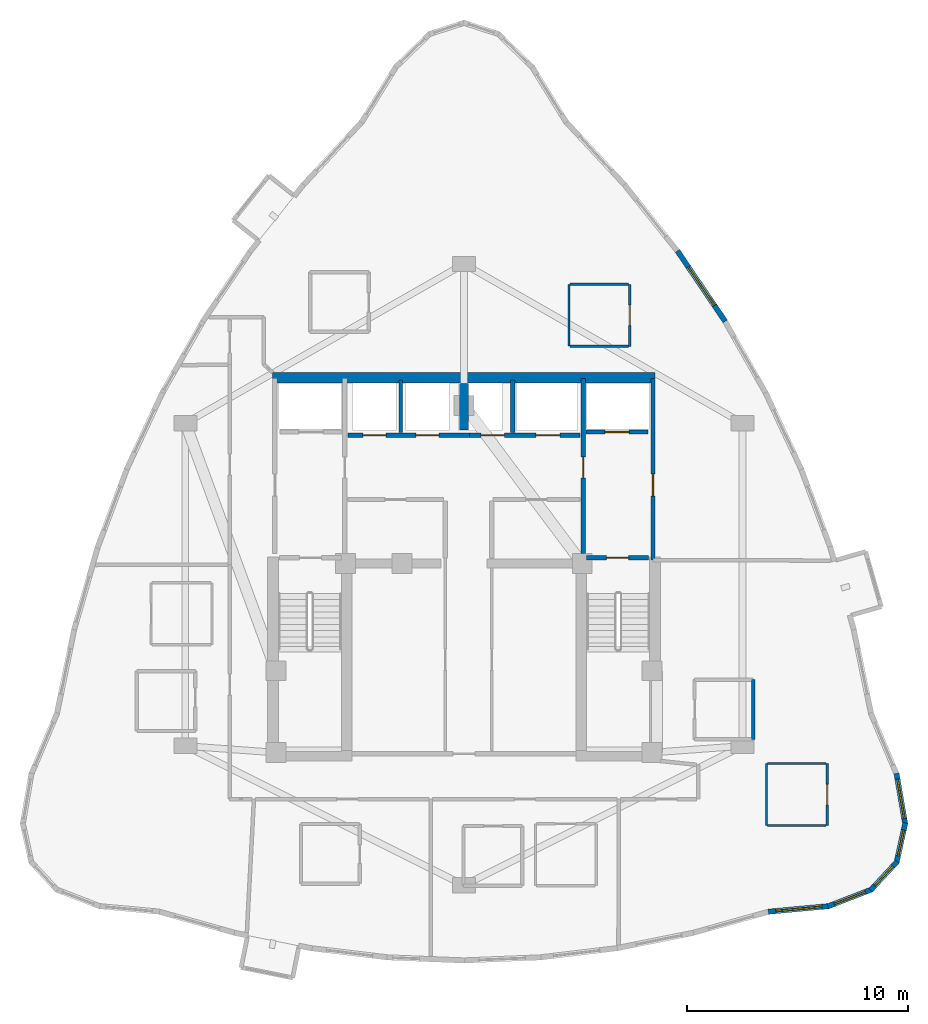
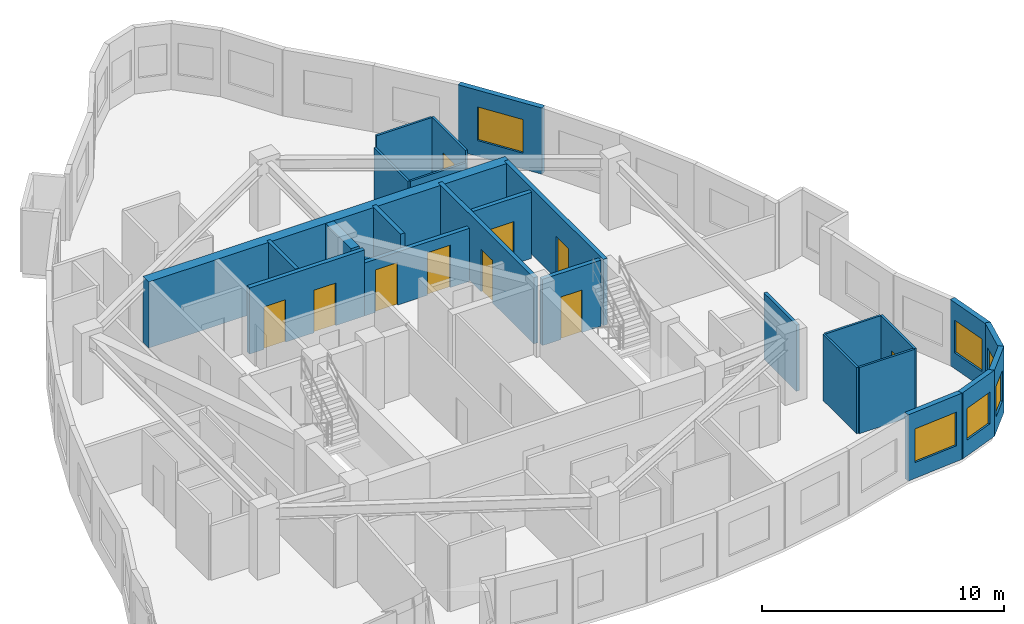
# One storey, part 7 of 10: 25 walls, 10 doors, 6 windows, 16 openings.
"""IFC4 building model written with IfcOpenShell, lengths in metres."""

from ifc_helpers import new_model, si_unit, direction, frame, frame_2d, origin, place, context, subcontext, project, spatial, rectangle, extrude, material, layer, layer_set, type_object, element, fill, save


model = new_model("IFC4")

# Units and contexts
model_context = context("Model", 3, precision=1e-05, world=origin(), true_north=direction((0.0, 1.0)))
body_context = subcontext(model_context, "Body", "Model", "MODEL_VIEW")
ifc_project = project(units=[si_unit("LENGTHUNIT", "METRE"), si_unit("AREAUNIT", "SQUARE_METRE"), si_unit("VOLUMEUNIT", "CUBIC_METRE"), si_unit("PLANEANGLEUNIT", "RADIAN"), si_unit("MASSUNIT", "GRAM", prefix="KILO")], contexts=[model_context])

# Site, building, storey
site_placement = place(None, origin())
site = spatial("IfcSite", under=ifc_project, at=site_placement, CompositionType="ELEMENT")
building_placement = place(site_placement, origin())
building = spatial("IfcBuilding", under=site, at=building_placement, Name="Miruveldt Soraemaru", CompositionType="ELEMENT")
storey_placement = place(building_placement, frame((0.0, 0.0, 230.39990234375)))
storey = spatial("IfcBuildingStorey", under=building, at=storey_placement, Name="L63", CompositionType="ELEMENT", Elevation=230.39990234375)

# Walls
ifc_material_1 = material(Name="Concrete C70/85 (70 MPa)", Category="concrete")
ifc_layer_1 = layer(ifc_material_1, 0.5, Name="Concrete C70/85 (70 MPa)", Category="concrete")
ifc_layer_set_1 = layer_set([ifc_layer_1], Name="Concrete C70/85 (70 MPa)")
wall_type_1 = type_object("IfcWallType", Name="WALL-BW-500", PredefinedType="SHEAR", material=ifc_layer_set_1)
wall_1_placement = place(storey_placement, frame((44.0, 50.10009765625, 0.0), z_axis=(0.0, 0.0, 1.0), x_axis=(0.0, 1.0, 0.0)))
element("IfcWall", 1, at=wall_1_placement, inside=storey, type_object=wall_type_1, Name="L63 Core Buttress Shear Wall BN", PredefinedType="SHEAR", context=body_context, shape_type="SweptSolid", body=[
    extrude(rectangle(XDim=2.099853515625, YDim=0.39990234375, at=frame_2d((1.0498046875, 0.0))), origin(), (0.0, 0.0, 1.0), 3.34521484375),
])
ifc_material_2 = material(Name="Concrete C60/75 (60 MPa)", Category="concrete")
ifc_layer_2 = layer(ifc_material_2, 0.47998046875, Name="Concrete C60/75 (60 MPa)", Category="concrete")
ifc_layer_set_2 = layer_set([ifc_layer_2], Name="Concrete C60/75 (60 MPa)")
wall_type_2 = type_object("IfcWallType", Name="WALL-CW-480", PredefinedType="SHEAR", material=ifc_layer_set_2)
wall_2_placement = place(storey_placement, frame((35.35009765625, 52.449951171875, 0.0), z_axis=(0.0, 0.0, 1.0), x_axis=(1.0, 0.0, 0.0)))
element("IfcWall", 2, at=wall_2_placement, inside=storey, type_object=wall_type_2, Name="L63 Central Core Shear Wall N", PredefinedType="SHEAR", context=body_context, shape_type="SweptSolid", body=[
    extrude(rectangle(XDim=17.2998046875, YDim=0.47998046875, at=frame_2d((8.64990234375, 0.0))), origin(), (0.0, 0.0, 1.0), 3.34521484375),
])

# Wall, opening, window
ifc_material_3 = material(Name="Precast concrete C45/55 (45 MPa)", Category="concrete")
ifc_layer_3 = layer(ifc_material_3, 0.239990234375, Name="Precast concrete C45/55 (45 MPa)", Category="concrete")
ifc_layer_set_3 = layer_set([ifc_layer_3], Name="Precast concrete C45/55 (45 MPa)")
wall_type_3 = type_object("IfcWallType", Name="WALL-EXT-PC240", PredefinedType="SOLIDWALL", material=ifc_layer_set_3)
wall_3_placement = place(storey_placement, frame((57.763916015625, 28.30078125, 0.0), z_axis=(0.0, 0.0, 1.0), x_axis=(0.995758748677, 0.092002795788, 0.0)))
wall_3 = element("IfcWall", 3, at=wall_3_placement, inside=storey, type_object=wall_type_3, Name="L63 Precast Concrete Facade Wall 29", PredefinedType="SOLIDWALL", context=body_context, shape_type="SweptSolid", body=[
    extrude(rectangle(XDim=2.775634765625, YDim=0.239990234375, at=frame_2d((1.3876953125, 0.0))), origin(), (0.0, 0.0, 1.0), 3.34521484375),
])
opening_1_placement = place(wall_3_placement, frame((0.337890625, 0.0, 0.800048828125)))
opening_1 = element("IfcOpeningElement", 4, at=opening_1_placement, cuts=wall_3, Name="Opening WN-1", PredefinedType="OPENING", context=body_context, shape_type="SweptSolid", body=[
    extrude(rectangle(XDim=2.10009765625, YDim=1.699951171875, at=frame_2d((1.050048828125, 0.85009765625))), frame((0.0, 0.1298828125, 0.0), z_axis=(0.0, -1.0, 0.0), x_axis=(1.0, 0.0, 0.0)), (0.0, 0.0, 1.0), 0.260009765625),
])
ifc_material_4 = material(Name="Triple low-e insulated glazing", Category="glass")
window_type_1 = type_object("IfcWindowType", Name="WIN-PUNCH-2100x1700", PartitioningType="SINGLE_PANEL", PredefinedType="WINDOW", material=ifc_material_4)
window_1_placement = place(opening_1_placement, origin())
window_1 = element("IfcWindow", 5, at=window_1_placement, inside=storey, type_object=window_type_1, Name="L63 Punched Triple-Glazed Window 29.1", OverallHeight=1.699951171875, OverallWidth=2.10009765625, PartitioningType="SINGLE_PANEL", PredefinedType="WINDOW", context=body_context, shape_type="SweptSolid", body=[
    extrude(rectangle(XDim=2.10009765625, YDim=1.699951171875, at=frame_2d((1.050048828125, 0.85009765625))), frame((0.0, 0.030029296875, 0.0), z_axis=(0.0, -1.0, 0.0), x_axis=(1.0, 0.0, 0.0)), (0.0, 0.0, 1.0), 0.06005859375),
])
fill(opening_1, window_1)

wall_4_placement = place(storey_placement, frame((60.46044921875, 28.540283203125, 0.0), z_axis=(0.0, 0.0, 1.0), x_axis=(0.932292043889, 0.361706434697, 0.0)))
wall_4 = element("IfcWall", 6, at=wall_4_placement, inside=storey, type_object=wall_type_3, Name="L63 Precast Concrete Facade Wall 30", PredefinedType="SOLIDWALL", context=body_context, shape_type="SweptSolid", body=[
    extrude(rectangle(XDim=2.13427734375, YDim=0.239990234375, at=frame_2d((1.067138671875, 0.0))), origin(), (0.0, 0.0, 1.0), 3.34521484375),
])
opening_2_placement = place(wall_4_placement, frame((0.31689453125, 0.0, 0.800048828125)))
opening_2 = element("IfcOpeningElement", 7, at=opening_2_placement, cuts=wall_4, Name="Opening WN-3", PredefinedType="OPENING", context=body_context, shape_type="SweptSolid", body=[
    extrude(rectangle(XDim=1.5, YDim=1.60009765625, at=frame_2d((0.75, 0.800048828125))), frame((0.0, 0.1298828125, 0.0), z_axis=(0.0, -1.0, 0.0), x_axis=(1.0, 0.0, 0.0)), (0.0, 0.0, 1.0), 0.260009765625),
])
window_type_2 = type_object("IfcWindowType", Name="WIN-PUNCH-1500x1600", PartitioningType="SINGLE_PANEL", PredefinedType="WINDOW", material=ifc_material_4)
window_2_placement = place(opening_2_placement, origin())
window_2 = element("IfcWindow", 8, at=window_2_placement, inside=storey, type_object=window_type_2, Name="L63 Punched Triple-Glazed Window 30.1", OverallHeight=1.60009765625, OverallWidth=1.5, PartitioningType="SINGLE_PANEL", PredefinedType="WINDOW", context=body_context, shape_type="SweptSolid", body=[
    extrude(rectangle(XDim=1.5, YDim=1.60009765625, at=frame_2d((0.75, 0.800048828125))), frame((0.0, 0.030029296875, 0.0), z_axis=(0.0, -1.0, 0.0), x_axis=(1.0, 0.0, 0.0)), (0.0, 0.0, 1.0), 0.06005859375),
])
fill(opening_2, window_2)

wall_5_placement = place(storey_placement, frame((62.393798828125, 29.273681640625, 0.0), z_axis=(0.0, 0.0, 1.0), x_axis=(0.680090776323, 0.733127912414, 0.0)))
wall_5 = element("IfcWall", 9, at=wall_5_placement, inside=storey, type_object=wall_type_3, Name="L63 Precast Concrete Facade Wall 31", PredefinedType="SOLIDWALL", context=body_context, shape_type="SweptSolid", body=[
    extrude(rectangle(XDim=1.767578125, YDim=0.239990234375, at=frame_2d((0.8837890625, 0.0))), origin(), (0.0, 0.0, 1.0), 3.34521484375),
])
opening_3_placement = place(wall_5_placement, frame((0.283935546875, 0.0, 0.780029296875)))
opening_3 = element("IfcOpeningElement", 10, at=opening_3_placement, cuts=wall_5, Name="Opening WN-4", PredefinedType="OPENING", context=body_context, shape_type="SweptSolid", body=[
    extrude(rectangle(XDim=1.199951171875, YDim=1.550048828125, at=frame_2d((0.60009765625, 0.77490234375))), frame((0.0, 0.1298828125, 0.0), z_axis=(0.0, -1.0, 0.0), x_axis=(1.0, 0.0, 0.0)), (0.0, 0.0, 1.0), 0.260009765625),
])
window_type_3 = type_object("IfcWindowType", Name="WIN-PUNCH-1200x1550", PartitioningType="SINGLE_PANEL", PredefinedType="WINDOW", material=ifc_material_4)
window_3_placement = place(opening_3_placement, origin())
window_3 = element("IfcWindow", 11, at=window_3_placement, inside=storey, type_object=window_type_3, Name="L63 Punched Triple-Glazed Window 31.1", OverallHeight=1.550048828125, OverallWidth=1.199951171875, PartitioningType="SINGLE_PANEL", PredefinedType="WINDOW", context=body_context, shape_type="SweptSolid", body=[
    extrude(rectangle(XDim=1.199951171875, YDim=1.550048828125, at=frame_2d((0.60009765625, 0.77490234375))), frame((0.0, 0.030029296875, 0.0), z_axis=(0.0, -1.0, 0.0), x_axis=(1.0, 0.0, 0.0)), (0.0, 0.0, 1.0), 0.06005859375),
])
fill(opening_3, window_3)

wall_6_placement = place(storey_placement, frame((63.564697265625, 30.509765625, 0.0), z_axis=(0.0, 0.0, 1.0), x_axis=(0.215675540506, 0.97646508449, 0.0)))
wall_6 = element("IfcWall", 12, at=wall_6_placement, inside=storey, type_object=wall_type_3, Name="L63 Precast Concrete Facade Wall 32", PredefinedType="SOLIDWALL", context=body_context, shape_type="SweptSolid", body=[
    extrude(rectangle(XDim=1.854248046875, YDim=0.239990234375, at=frame_2d((0.92724609375, 0.0))), origin(), (0.0, 0.0, 1.0), 3.34521484375),
])
opening_4_placement = place(wall_6_placement, frame((0.326904296875, 0.0, 0.780029296875)))
opening_4 = element("IfcOpeningElement", 13, at=opening_4_placement, cuts=wall_6, Name="Opening WN-4", PredefinedType="OPENING", context=body_context, shape_type="SweptSolid", body=[
    extrude(rectangle(XDim=1.199951171875, YDim=1.550048828125, at=frame_2d((0.60009765625, 0.77490234375))), frame((0.0, 0.1298828125, 0.0), z_axis=(0.0, -1.0, 0.0), x_axis=(1.0, 0.0, 0.0)), (0.0, 0.0, 1.0), 0.260009765625),
])
window_4_placement = place(opening_4_placement, origin())
window_4 = element("IfcWindow", 14, at=window_4_placement, inside=storey, type_object=window_type_3, Name="L63 Punched Triple-Glazed Window 32.1", OverallHeight=1.550048828125, OverallWidth=1.199951171875, PartitioningType="SINGLE_PANEL", PredefinedType="WINDOW", context=body_context, shape_type="SweptSolid", body=[
    extrude(rectangle(XDim=1.199951171875, YDim=1.550048828125, at=frame_2d((0.60009765625, 0.77490234375))), frame((0.0, 0.030029296875, 0.0), z_axis=(0.0, -1.0, 0.0), x_axis=(1.0, 0.0, 0.0)), (0.0, 0.0, 1.0), 0.06005859375),
])
fill(opening_4, window_4)

wall_7_placement = place(storey_placement, frame((63.962890625, 32.251708984375, 0.0), z_axis=(0.0, 0.0, 1.0), x_axis=(-0.16922990098, 0.985576603118, 0.0)))
wall_7 = element("IfcWall", 15, at=wall_7_placement, inside=storey, type_object=wall_type_3, Name="L63 Precast Concrete Facade Wall 33", PredefinedType="SOLIDWALL", context=body_context, shape_type="SweptSolid", body=[
    extrude(rectangle(XDim=2.3427734375, YDim=0.239990234375, at=frame_2d((1.17138671875, 0.0))), origin(), (0.0, 0.0, 1.0), 3.34521484375),
])
opening_5_placement = place(wall_7_placement, frame((0.27099609375, 0.0, 0.800048828125)))
opening_5 = element("IfcOpeningElement", 16, at=opening_5_placement, cuts=wall_7, Name="Opening WN-2", PredefinedType="OPENING", context=body_context, shape_type="SweptSolid", body=[
    extrude(rectangle(XDim=1.800048828125, YDim=1.64990234375, at=frame_2d((0.89990234375, 0.824951171875))), frame((0.0, 0.1298828125, 0.0), z_axis=(0.0, -1.0, 0.0), x_axis=(1.0, 0.0, 0.0)), (0.0, 0.0, 1.0), 0.260009765625),
])
window_type_4 = type_object("IfcWindowType", Name="WIN-PUNCH-1800x1650", PartitioningType="SINGLE_PANEL", PredefinedType="WINDOW", material=ifc_material_4)
window_5_placement = place(opening_5_placement, origin())
window_5 = element("IfcWindow", 17, at=window_5_placement, inside=storey, type_object=window_type_4, Name="L63 Punched Triple-Glazed Window 33.1", OverallHeight=1.64990234375, OverallWidth=1.800048828125, PartitioningType="SINGLE_PANEL", PredefinedType="WINDOW", context=body_context, shape_type="SweptSolid", body=[
    extrude(rectangle(XDim=1.800048828125, YDim=1.64990234375, at=frame_2d((0.89990234375, 0.824951171875))), frame((0.0, 0.030029296875, 0.0), z_axis=(0.0, -1.0, 0.0), x_axis=(1.0, 0.0, 0.0)), (0.0, 0.0, 1.0), 0.06005859375),
])
fill(opening_5, window_5)

wall_8_placement = place(storey_placement, frame((55.820556640625, 55.0, 0.0), z_axis=(0.0, 0.0, 1.0), x_axis=(-0.560856532865, 0.827913008439, 0.0)))
wall_8 = element("IfcWall", 18, at=wall_8_placement, inside=storey, type_object=wall_type_3, Name="L63 Precast Concrete Facade Wall 40", PredefinedType="SOLIDWALL", context=body_context, shape_type="SweptSolid", body=[
    extrude(rectangle(XDim=3.861572265625, YDim=0.239990234375, at=frame_2d((1.9306640625, 0.0))), origin(), (0.0, 0.0, 1.0), 3.34521484375),
])
opening_6_placement = place(wall_8_placement, frame((0.881103515625, 0.0, 0.800048828125)))
opening_6 = element("IfcOpeningElement", 19, at=opening_6_placement, cuts=wall_8, Name="Opening WN-1", PredefinedType="OPENING", context=body_context, shape_type="SweptSolid", body=[
    extrude(rectangle(XDim=2.10009765625, YDim=1.699951171875, at=frame_2d((1.050048828125, 0.85009765625))), frame((0.0, 0.1298828125, 0.0), z_axis=(0.0, -1.0, 0.0), x_axis=(1.0, 0.0, 0.0)), (0.0, 0.0, 1.0), 0.260009765625),
])
window_6_placement = place(opening_6_placement, origin())
window_6 = element("IfcWindow", 20, at=window_6_placement, inside=storey, type_object=window_type_1, Name="L63 Punched Triple-Glazed Window 40.1", OverallHeight=1.699951171875, OverallWidth=2.10009765625, PartitioningType="SINGLE_PANEL", PredefinedType="WINDOW", context=body_context, shape_type="SweptSolid", body=[
    extrude(rectangle(XDim=2.10009765625, YDim=1.699951171875, at=frame_2d((1.050048828125, 0.85009765625))), frame((0.0, 0.030029296875, 0.0), z_axis=(0.0, -1.0, 0.0), x_axis=(1.0, 0.0, 0.0)), (0.0, 0.0, 1.0), 0.06005859375),
])
fill(opening_6, window_6)

# Wall, opening, door
ifc_material_5 = material(Name="Gypsum plasterboard lining", Category="gypsum")
ifc_layer_4 = layer(ifc_material_5, 0.10009765625, Name="Gypsum plasterboard lining", Category="gypsum")
ifc_layer_set_4 = layer_set([ifc_layer_4], Name="Gypsum plasterboard lining")
wall_type_4 = type_object("IfcWallType", Name="WALL-INT-P100", PredefinedType="PARTITIONING", material=ifc_layer_set_4)
wall_9_placement = place(storey_placement, frame((51.49609375, 53.8798828125, 0.0), z_axis=(0.0, 0.0, 1.0), x_axis=(0.0, 1.0, 0.0)))
wall_9 = element("IfcWall", 21, at=wall_9_placement, inside=storey, type_object=wall_type_4, Name="L63 Partition Wall 17", PredefinedType="PARTITIONING", context=body_context, shape_type="SweptSolid", body=[
    extrude(rectangle(XDim=2.800048828125, YDim=0.10009765625, at=frame_2d((1.39990234375, 0.0))), origin(), (0.0, 0.0, 1.0), 3.34521484375),
])
opening_7_placement = place(wall_9_placement, frame((0.93994140625, 0.0, 0.0)))
opening_7 = element("IfcOpeningElement", 22, at=opening_7_placement, cuts=wall_9, Name="Opening D3A", PredefinedType="OPENING", context=body_context, shape_type="SweptSolid", body=[
    extrude(rectangle(XDim=0.919921875, YDim=2.10009765625, at=frame_2d((0.4599609375, 1.050048828125))), frame((0.0, 0.06005859375, 0.0), z_axis=(0.0, -1.0, 0.0), x_axis=(1.0, 0.0, 0.0)), (0.0, 0.0, 1.0), 0.1201171875),
])
ifc_material_6 = material(Name="Anodised aluminium EN AW-6063 T6", Category="aluminium")
door_type_1 = type_object("IfcDoorType", Name="DOOR-INT-920", OperationType="NOTDEFINED", PredefinedType="DOOR", material=ifc_material_6)
door_1_placement = place(opening_7_placement, origin())
door_1 = element("IfcDoor", 23, at=door_1_placement, inside=storey, type_object=door_type_1, Name="L63 Unit CL01 KIT Door", OperationType="SINGLE_SWING_LEFT", OverallHeight=2.10009765625, OverallWidth=0.919921875, PredefinedType="DOOR", context=body_context, shape_type="SweptSolid", body=[
    extrude(rectangle(XDim=0.919921875, YDim=2.10009765625, at=frame_2d((0.4599609375, 1.050048828125))), frame((0.0, 0.02490234375, 0.0), z_axis=(0.0, -1.0, 0.0), x_axis=(1.0, 0.0, 0.0)), (0.0, 0.0, 1.0), 0.050048828125),
])
fill(opening_7, door_1)

wall_10_placement = place(storey_placement, frame((60.429931640625, 32.200927734375, 0.0), z_axis=(0.0, 0.0, 1.0), x_axis=(0.0, 1.0, 0.0)))
wall_10 = element("IfcWall", 24, at=wall_10_placement, inside=storey, type_object=wall_type_4, Name="L63 Partition Wall 51", PredefinedType="PARTITIONING", context=body_context, shape_type="SweptSolid", body=[
    extrude(rectangle(XDim=2.800048828125, YDim=0.10009765625, at=frame_2d((1.39990234375, 0.0))), origin(), (0.0, 0.0, 1.0), 3.34521484375),
])
opening_8_placement = place(wall_10_placement, frame((0.93994140625, 0.0, 0.0)))
opening_8 = element("IfcOpeningElement", 25, at=opening_8_placement, cuts=wall_10, Name="Opening D3A", PredefinedType="OPENING", context=body_context, shape_type="SweptSolid", body=[
    extrude(rectangle(XDim=0.919921875, YDim=2.10009765625, at=frame_2d((0.4599609375, 1.050048828125))), frame((0.0, 0.06005859375, 0.0), z_axis=(0.0, -1.0, 0.0), x_axis=(1.0, 0.0, 0.0)), (0.0, 0.0, 1.0), 0.1201171875),
])
door_2_placement = place(opening_8_placement, origin())
door_2 = element("IfcDoor", 26, at=door_2_placement, inside=storey, type_object=door_type_1, Name="L63 Unit CL07 KIT Door", OperationType="SINGLE_SWING_LEFT", OverallHeight=2.10009765625, OverallWidth=0.919921875, PredefinedType="DOOR", context=body_context, shape_type="SweptSolid", body=[
    extrude(rectangle(XDim=0.919921875, YDim=2.10009765625, at=frame_2d((0.4599609375, 1.050048828125))), frame((0.0, 0.02490234375, 0.0), z_axis=(0.0, -1.0, 0.0), x_axis=(1.0, 0.0, 0.0)), (0.0, 0.0, 1.0), 0.050048828125),
])
fill(opening_8, door_2)

# Walls
wall_11_placement = place(storey_placement, frame((48.74609375, 56.679931640625, 0.0), z_axis=(0.0, 0.0, 1.0), x_axis=(0.0, -1.0, 0.0)))
element("IfcWall", 27, at=wall_11_placement, inside=storey, type_object=wall_type_4, Name="L63 Partition Wall 19", PredefinedType="PARTITIONING", context=body_context, shape_type="SweptSolid", body=[
    extrude(rectangle(XDim=2.800048828125, YDim=0.10009765625, at=frame_2d((1.39990234375, 0.0))), origin(), (0.0, 0.0, 1.0), 2.7451171875),
])
wall_12_placement = place(storey_placement, frame((57.679931640625, 35.0009765625, 0.0), z_axis=(0.0, 0.0, 1.0), x_axis=(0.0, -1.0, 0.0)))
element("IfcWall", 28, at=wall_12_placement, inside=storey, type_object=wall_type_4, Name="L63 Partition Wall 53", PredefinedType="PARTITIONING", context=body_context, shape_type="SweptSolid", body=[
    extrude(rectangle(XDim=2.800048828125, YDim=0.10009765625, at=frame_2d((1.39990234375, 0.0))), origin(), (0.0, 0.0, 1.0), 3.34521484375),
])
for number, where, z_axis, x_axis, name in (
    (29, (60.3798828125, 35.0009765625, 0.0), (0.0, 0.0, 1.0), (-1.0, 0.0, 0.0), "L63 Partition Wall 52"),
    (30, (57.72998046875, 32.200927734375, 0.0), (0.0, 0.0, 1.0), (1.0, 0.0, 0.0), "L63 Partition Wall 54"),
):
    element("IfcWall", number, at=place(storey_placement, frame(where, z_axis=z_axis, x_axis=x_axis)), inside=storey, type_object=wall_type_4, Name=name, PredefinedType="PARTITIONING", context=body_context, shape_type="SweptSolid", body=[
        extrude(rectangle(XDim=2.64990234375, YDim=0.10009765625, at=frame_2d((1.324951171875, 0.0))), origin(), (0.0, 0.0, 1.0), 3.34521484375),
    ])
wall_13_placement = place(storey_placement, frame((51.446044921875, 56.679931640625, 0.0), z_axis=(0.0, 0.0, 1.0), x_axis=(-1.0, 0.0, 0.0)))
element("IfcWall", 31, at=wall_13_placement, inside=storey, type_object=wall_type_4, Name="L63 Partition Wall 18", PredefinedType="PARTITIONING", context=body_context, shape_type="SweptSolid", body=[
    extrude(rectangle(XDim=2.650146484375, YDim=0.10009765625, at=frame_2d((1.3251953125, 0.0))), origin(), (0.0, 0.0, 1.0), 3.34521484375),
])
wall_14_placement = place(storey_placement, frame((48.7958984375, 53.8798828125, 0.0), z_axis=(0.0, 0.0, 1.0), x_axis=(1.0, 0.0, 0.0)))
element("IfcWall", 32, at=wall_14_placement, inside=storey, type_object=wall_type_4, Name="L63 Partition Wall 20", PredefinedType="PARTITIONING", context=body_context, shape_type="SweptSolid", body=[
    extrude(rectangle(XDim=2.650146484375, YDim=0.10009765625, at=frame_2d((1.3251953125, 0.0))), origin(), (0.0, 0.0, 1.0), 2.7451171875),
])
ifc_layer_5 = layer(ifc_material_5, 0.14990234375, Name="Gypsum plasterboard lining", Category="gypsum")
ifc_layer_set_5 = layer_set([ifc_layer_5], Name="Gypsum plasterboard lining")
wall_type_5 = type_object("IfcWallType", Name="WALL-INT-PLUMB", PredefinedType="PLUMBINGWALL", material=ifc_layer_set_5)
wall_15_placement = place(storey_placement, frame((57.080078125, 36.10107421875, 0.0), z_axis=(0.0, 0.0, 1.0), x_axis=(0.0, 1.0, 0.0)))
element("IfcWall", 33, at=wall_15_placement, inside=storey, type_object=wall_type_5, Name="L63 Partition Wall 47", PredefinedType="PLUMBINGWALL", context=body_context, shape_type="SweptSolid", body=[
    extrude(rectangle(XDim=2.699951171875, YDim=0.14990234375, at=frame_2d((1.35009765625, 0.0))), origin(), (0.0, 0.0, 1.0), 3.34521484375),
])
ifc_material_7 = material(Name="Concrete C40/50 (40 MPa)", Category="concrete")
ifc_layer_6 = layer(ifc_material_7, 0.159912109375, Name="Concrete C40/50 (40 MPa)", Category="concrete")
ifc_layer_set_6 = layer_set([ifc_layer_6], Name="Concrete C40/50 (40 MPa)")
wall_type_6 = type_object("IfcWallType", Name="WALL-INT-RC160", PredefinedType="SOLIDWALL", material=ifc_layer_set_6)
wall_16_placement = place(storey_placement, frame((41.14990234375, 49.97998046875, 0.0), z_axis=(0.0, 0.0, 1.0), x_axis=(0.0, 1.0, 0.0)))
element("IfcWall", 34, at=wall_16_placement, inside=storey, type_object=wall_type_6, Name="L63 Core Compartment Wall PLH-DIV1", PredefinedType="SOLIDWALL", context=body_context, shape_type="SweptSolid", body=[
    extrude(rectangle(XDim=2.3701171875, YDim=0.159912109375, at=frame_2d((1.18505859375, 0.0))), origin(), (0.0, 0.0, 1.0), 3.34521484375),
])

# Wall, opening, door
ifc_layer_7 = layer(ifc_material_7, 0.199951171875, Name="Concrete C40/50 (40 MPa)", Category="concrete")
ifc_layer_set_7 = layer_set([ifc_layer_7], Name="Concrete C40/50 (40 MPa)")
wall_type_7 = type_object("IfcWallType", Name="WALL-INT-RC200", PredefinedType="SOLIDWALL", material=ifc_layer_set_7)
wall_17_placement = place(storey_placement, frame((52.550048828125, 44.205322265625, 0.0), z_axis=(0.0, 0.0, 1.0), x_axis=(0.0, 1.0, 0.0)))
wall_17 = element("IfcWall", 35, at=wall_17_placement, inside=storey, type_object=wall_type_7, Name="L63 Core Compartment Wall FFE-OUT", PredefinedType="SOLIDWALL", context=body_context, shape_type="SweptSolid", body=[
    extrude(rectangle(XDim=8.214599609375, YDim=0.199951171875, at=frame_2d((4.107421875, 0.0))), origin(), (0.0, 0.0, 1.0), 3.34521484375),
])
opening_9_placement = place(wall_17_placement, frame((2.89501953125, 0.0, 0.0)))
opening_9 = element("IfcOpeningElement", 36, at=opening_9_placement, cuts=wall_17, Name="Opening FD1", PredefinedType="OPENING", context=body_context, shape_type="SweptSolid", body=[
    extrude(rectangle(XDim=1.0, YDim=2.14990234375, at=frame_2d((0.5, 1.074951171875))), frame((0.0, 0.10986328125, 0.0), z_axis=(0.0, -1.0, 0.0), x_axis=(1.0, 0.0, 0.0)), (0.0, 0.0, 1.0), 0.219970703125),
])
door_type_2 = type_object("IfcDoorType", Name="DOOR-FD1-1000", OperationType="NOTDEFINED", PredefinedType="DOOR", material=ifc_material_6)
door_3_placement = place(opening_9_placement, frame((1.0, 0.0, 0.0), z_axis=(0.0, 0.0, 1.0), x_axis=(-1.0, 0.0, 0.0)))
door_3 = element("IfcDoor", 37, at=door_3_placement, inside=storey, type_object=door_type_2, Name="L63 East Firefighting Lobby Exit Door", OperationType="SINGLE_SWING_RIGHT", OverallHeight=2.14990234375, OverallWidth=1.0, PredefinedType="DOOR", context=body_context, shape_type="SweptSolid", body=[
    extrude(rectangle(XDim=1.0, YDim=2.14990234375, at=frame_2d((0.5, 1.074951171875))), frame((0.0, 0.02490234375, 0.0), z_axis=(0.0, -1.0, 0.0), x_axis=(1.0, 0.0, 0.0)), (0.0, 0.0, 1.0), 0.050048828125),
])
fill(opening_9, door_3)

wall_18_placement = place(storey_placement, frame((49.39990234375, 44.5, 0.0), z_axis=(0.0, 0.0, 1.0), x_axis=(0.0, 1.0, 0.0)))
wall_18 = element("IfcWall", 38, at=wall_18_placement, inside=storey, type_object=wall_type_7, Name="L63 Core Compartment Wall FFE-IN", PredefinedType="SOLIDWALL", context=body_context, shape_type="SweptSolid", body=[
    extrude(rectangle(XDim=7.919921875, YDim=0.199951171875, at=frame_2d((3.9599609375, 0.0))), origin(), (0.0, 0.0, 1.0), 3.34521484375),
])
opening_10_placement = place(wall_18_placement, frame((3.425048828125, 0.0, 0.0)))
opening_10 = element("IfcOpeningElement", 39, at=opening_10_placement, cuts=wall_18, Name="Opening FD2", PredefinedType="OPENING", context=body_context, shape_type="SweptSolid", body=[
    extrude(rectangle(XDim=0.949951171875, YDim=2.14990234375, at=frame_2d((0.47509765625, 1.074951171875))), frame((0.0, 0.10986328125, 0.0), z_axis=(0.0, -1.0, 0.0), x_axis=(1.0, 0.0, 0.0)), (0.0, 0.0, 1.0), 0.219970703125),
])
door_type_3 = type_object("IfcDoorType", Name="DOOR-FD2-950", OperationType="NOTDEFINED", PredefinedType="DOOR", material=ifc_material_6)
door_4_placement = place(opening_10_placement, origin())
door_4 = element("IfcDoor", 40, at=door_4_placement, inside=storey, type_object=door_type_3, Name="L63 Lift Lobby to East Fire Lobby Door", OperationType="SINGLE_SWING_LEFT", OverallHeight=2.14990234375, OverallWidth=0.949951171875, PredefinedType="DOOR", context=body_context, shape_type="SweptSolid", body=[
    extrude(rectangle(XDim=0.949951171875, YDim=2.14990234375, at=frame_2d((0.47509765625, 1.074951171875))), frame((0.0, 0.02490234375, 0.0), z_axis=(0.0, -1.0, 0.0), x_axis=(1.0, 0.0, 0.0)), (0.0, 0.0, 1.0), 0.050048828125),
])
fill(opening_10, door_4)

# Wall, openings, doors
wall_19_placement = place(storey_placement, frame((38.75, 49.85009765625, 0.0), z_axis=(0.0, 0.0, 1.0), x_axis=(1.0, 0.0, 0.0)))
wall_19 = element("IfcWall", 41, at=wall_19_placement, inside=storey, type_object=wall_type_7, Name="L63 Core Compartment Wall ROWA-SW", PredefinedType="SOLIDWALL", context=body_context, shape_type="SweptSolid", body=[
    extrude(rectangle(XDim=5.5, YDim=0.199951171875, at=frame_2d((2.75, 0.0))), origin(), (0.0, 0.0, 1.0), 3.34521484375),
])
opening_11_placement = place(wall_19_placement, frame((0.675048828125, 0.0, 0.0)))
opening_11 = element("IfcOpeningElement", 42, at=opening_11_placement, cuts=wall_19, Name="Opening LD1", PredefinedType="OPENING", context=body_context, shape_type="SweptSolid", body=[
    extrude(rectangle(XDim=1.050048828125, YDim=2.14990234375, at=frame_2d((0.52490234375, 1.074951171875))), frame((0.0, 0.10986328125, 0.0), z_axis=(0.0, -1.0, 0.0), x_axis=(1.0, 0.0, 0.0)), (0.0, 0.0, 1.0), 0.219970703125),
])
opening_12_placement = place(wall_19_placement, frame((3.074951171875, 0.0, 0.0)))
opening_12 = element("IfcOpeningElement", 43, at=opening_12_placement, cuts=wall_19, Name="Opening LD1", PredefinedType="OPENING", context=body_context, shape_type="SweptSolid", body=[
    extrude(rectangle(XDim=1.050048828125, YDim=2.14990234375, at=frame_2d((0.52490234375, 1.074951171875))), frame((0.0, 0.10986328125, 0.0), z_axis=(0.0, -1.0, 0.0), x_axis=(1.0, 0.0, 0.0)), (0.0, 0.0, 1.0), 0.219970703125),
])
door_type_4 = type_object("IfcDoorType", Name="DOOR-LD1-1050", OperationType="SLIDING_TO_LEFT", PredefinedType="DOOR", material=ifc_material_6)
door_5_placement = place(opening_11_placement, origin())
door_5 = element("IfcDoor", 44, at=door_5_placement, inside=storey, type_object=door_type_4, Name="L63 PL-H1 Landing Door", OperationType="SLIDING_TO_LEFT", OverallHeight=2.14990234375, OverallWidth=1.050048828125, PredefinedType="DOOR", context=body_context, shape_type="SweptSolid", body=[
    extrude(rectangle(XDim=1.050048828125, YDim=2.14990234375, at=frame_2d((0.52490234375, 1.074951171875))), frame((0.0, 0.02490234375, 0.0), z_axis=(0.0, -1.0, 0.0), x_axis=(1.0, 0.0, 0.0)), (0.0, 0.0, 1.0), 0.050048828125),
])
fill(opening_11, door_5)
door_6_placement = place(opening_12_placement, origin())
door_6 = element("IfcDoor", 45, at=door_6_placement, inside=storey, type_object=door_type_4, Name="L63 PL-H2 Landing Door", OperationType="SLIDING_TO_LEFT", OverallHeight=2.14990234375, OverallWidth=1.050048828125, PredefinedType="DOOR", context=body_context, shape_type="SweptSolid", body=[
    extrude(rectangle(XDim=1.050048828125, YDim=2.14990234375, at=frame_2d((0.52490234375, 1.074951171875))), frame((0.0, 0.02490234375, 0.0), z_axis=(0.0, -1.0, 0.0), x_axis=(1.0, 0.0, 0.0)), (0.0, 0.0, 1.0), 0.050048828125),
])
fill(opening_12, door_6)

wall_20_placement = place(storey_placement, frame((44.25, 49.85009765625, 0.0), z_axis=(0.0, 0.0, 1.0), x_axis=(1.0, 0.0, 0.0)))
wall_20 = element("IfcWall", 46, at=wall_20_placement, inside=storey, type_object=wall_type_7, Name="L63 Core Compartment Wall ROWA-SE", PredefinedType="SOLIDWALL", context=body_context, shape_type="SweptSolid", body=[
    extrude(rectangle(XDim=5.0, YDim=0.199951171875, at=frame_2d((2.5, 0.0))), origin(), (0.0, 0.0, 1.0), 2.68310546875),
])
opening_13_placement = place(wall_20_placement, frame((0.52490234375, 0.0, 0.0)))
opening_13 = element("IfcOpeningElement", 47, at=opening_13_placement, cuts=wall_20, Name="Opening LD1", PredefinedType="OPENING", context=body_context, shape_type="SweptSolid", body=[
    extrude(rectangle(XDim=1.050048828125, YDim=2.14990234375, at=frame_2d((0.52490234375, 1.074951171875))), frame((0.0, 0.10986328125, 0.0), z_axis=(0.0, -1.0, 0.0), x_axis=(1.0, 0.0, 0.0)), (0.0, 0.0, 1.0), 0.219970703125),
])
opening_14_placement = place(wall_20_placement, frame((3.0, 0.0, 0.0)))
opening_14 = element("IfcOpeningElement", 48, at=opening_14_placement, cuts=wall_20, Name="Opening LD2", PredefinedType="OPENING", context=body_context, shape_type="SweptSolid", body=[
    extrude(rectangle(XDim=1.10009765625, YDim=2.14990234375, at=frame_2d((0.550048828125, 1.074951171875))), frame((0.0, 0.10986328125, 0.0), z_axis=(0.0, -1.0, 0.0), x_axis=(1.0, 0.0, 0.0)), (0.0, 0.0, 1.0), 0.219970703125),
])
door_7_placement = place(opening_13_placement, origin())
door_7 = element("IfcDoor", 49, at=door_7_placement, inside=storey, type_object=door_type_4, Name="L63 PL-H3 Landing Door", OperationType="SLIDING_TO_LEFT", OverallHeight=2.14990234375, OverallWidth=1.050048828125, PredefinedType="DOOR", context=body_context, shape_type="SweptSolid", body=[
    extrude(rectangle(XDim=1.050048828125, YDim=2.14990234375, at=frame_2d((0.52490234375, 1.074951171875))), frame((0.0, 0.02490234375, 0.0), z_axis=(0.0, -1.0, 0.0), x_axis=(1.0, 0.0, 0.0)), (0.0, 0.0, 1.0), 0.050048828125),
])
fill(opening_13, door_7)
door_type_5 = type_object("IfcDoorType", Name="DOOR-LD2-1100", OperationType="SLIDING_TO_LEFT", PredefinedType="DOOR", material=ifc_material_6)
door_8_placement = place(opening_14_placement, origin())
door_8 = element("IfcDoor", 50, at=door_8_placement, inside=storey, type_object=door_type_5, Name="L63 SL-1 Landing Door", OperationType="SLIDING_TO_LEFT", OverallHeight=2.14990234375, OverallWidth=1.10009765625, PredefinedType="DOOR", context=body_context, shape_type="SweptSolid", body=[
    extrude(rectangle(XDim=1.10009765625, YDim=2.14990234375, at=frame_2d((0.550048828125, 1.074951171875))), frame((0.0, 0.02490234375, 0.0), z_axis=(0.0, -1.0, 0.0), x_axis=(1.0, 0.0, 0.0)), (0.0, 0.0, 1.0), 0.050048828125),
])
fill(opening_14, door_8)

# Wall, opening, door
wall_21_placement = place(storey_placement, frame((49.550048828125, 44.320068359375, 0.0), z_axis=(0.0, 0.0, 1.0), x_axis=(1.0, 0.0, 0.0)))
wall_21 = element("IfcWall", 51, at=wall_21_placement, inside=storey, type_object=wall_type_7, Name="L63 Core Compartment Wall ST2-N", PredefinedType="SOLIDWALL", context=body_context, shape_type="SweptSolid", body=[
    extrude(rectangle(XDim=2.800048828125, YDim=0.199951171875, at=frame_2d((1.39990234375, 0.0))), origin(), (0.0, 0.0, 1.0), 3.34521484375),
])
opening_15_placement = place(wall_21_placement, frame((0.89990234375, 0.0, 0.0)))
opening_15 = element("IfcOpeningElement", 52, at=opening_15_placement, cuts=wall_21, Name="Opening FD1", PredefinedType="OPENING", context=body_context, shape_type="SweptSolid", body=[
    extrude(rectangle(XDim=1.0, YDim=2.14990234375, at=frame_2d((0.5, 1.074951171875))), frame((0.0, 0.10986328125, 0.0), z_axis=(0.0, -1.0, 0.0), x_axis=(1.0, 0.0, 0.0)), (0.0, 0.0, 1.0), 0.219970703125),
])
door_9_placement = place(opening_15_placement, frame((1.0, 0.0, 0.0), z_axis=(0.0, 0.0, 1.0), x_axis=(-1.0, 0.0, 0.0)))
door_9 = element("IfcDoor", 53, at=door_9_placement, inside=storey, type_object=door_type_2, Name="L63 Stair ST-2 Fire Door", OperationType="SINGLE_SWING_RIGHT", OverallHeight=2.14990234375, OverallWidth=1.0, PredefinedType="DOOR", context=body_context, shape_type="SweptSolid", body=[
    extrude(rectangle(XDim=1.0, YDim=2.14990234375, at=frame_2d((0.5, 1.074951171875))), frame((0.0, 0.02490234375, 0.0), z_axis=(0.0, -1.0, 0.0), x_axis=(1.0, 0.0, 0.0)), (0.0, 0.0, 1.0), 0.050048828125),
])
fill(opening_15, door_9)

wall_22_placement = place(storey_placement, frame((49.52001953125, 50.0, 0.0), z_axis=(0.0, 0.0, 1.0), x_axis=(1.0, 0.0, 0.0)))
wall_22 = element("IfcWall", 54, at=wall_22_placement, inside=storey, type_object=wall_type_7, Name="L63 Core Compartment Wall FFL2-S", PredefinedType="SOLIDWALL", context=body_context, shape_type="SweptSolid", body=[
    extrude(rectangle(XDim=2.800048828125, YDim=0.199951171875, at=frame_2d((1.39990234375, 0.0))), origin(), (0.0, 0.0, 1.0), 3.34521484375),
])
opening_16_placement = place(wall_22_placement, frame((0.85009765625, 0.0, 0.0)))
opening_16 = element("IfcOpeningElement", 55, at=opening_16_placement, cuts=wall_22, Name="Opening LD2", PredefinedType="OPENING", context=body_context, shape_type="SweptSolid", body=[
    extrude(rectangle(XDim=1.10009765625, YDim=2.14990234375, at=frame_2d((0.550048828125, 1.074951171875))), frame((0.0, 0.10986328125, 0.0), z_axis=(0.0, -1.0, 0.0), x_axis=(1.0, 0.0, 0.0)), (0.0, 0.0, 1.0), 0.219970703125),
])
door_10_placement = place(opening_16_placement, origin())
door_10 = element("IfcDoor", 56, at=door_10_placement, inside=storey, type_object=door_type_5, Name="L63 FFL-2 Landing Door", OperationType="SLIDING_TO_LEFT", OverallHeight=2.14990234375, OverallWidth=1.10009765625, PredefinedType="DOOR", context=body_context, shape_type="SweptSolid", body=[
    extrude(rectangle(XDim=1.10009765625, YDim=2.14990234375, at=frame_2d((0.550048828125, 1.074951171875))), frame((0.0, 0.02490234375, 0.0), z_axis=(0.0, -1.0, 0.0), x_axis=(1.0, 0.0, 0.0)), (0.0, 0.0, 1.0), 0.050048828125),
])
fill(opening_16, door_10)

# Wall
wall_23_placement = place(storey_placement, frame((46.199951171875, 49.97998046875, 0.0), z_axis=(0.0, 0.0, 1.0), x_axis=(0.0, 1.0, 0.0)))
element("IfcWall", 57, at=wall_23_placement, inside=storey, type_object=wall_type_7, Name="L63 Core Compartment Wall PLH-SL-DIV", PredefinedType="SOLIDWALL", context=body_context, shape_type="SweptSolid", body=[
    extrude(rectangle(XDim=2.3701171875, YDim=0.199951171875, at=frame_2d((1.18505859375, 0.0))), origin(), (0.0, 0.0, 1.0), 3.34521484375),
])

save(model, "model.ifc")
